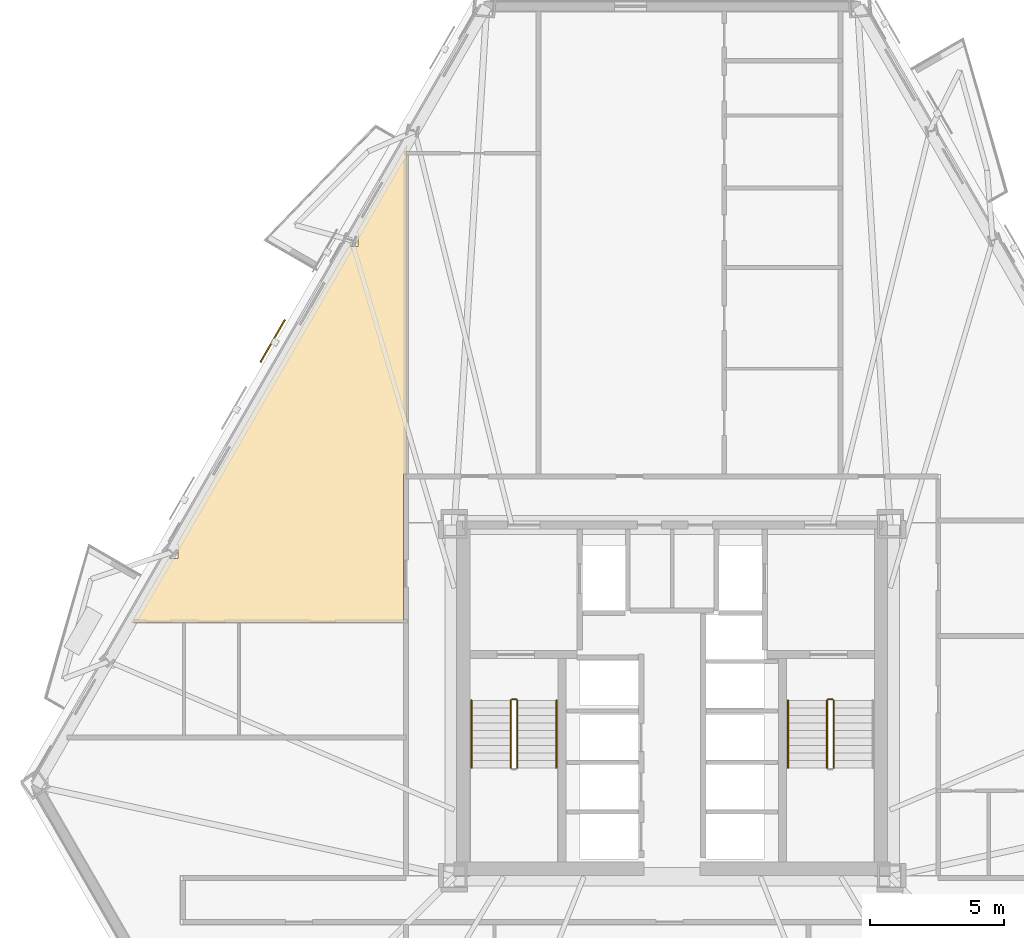
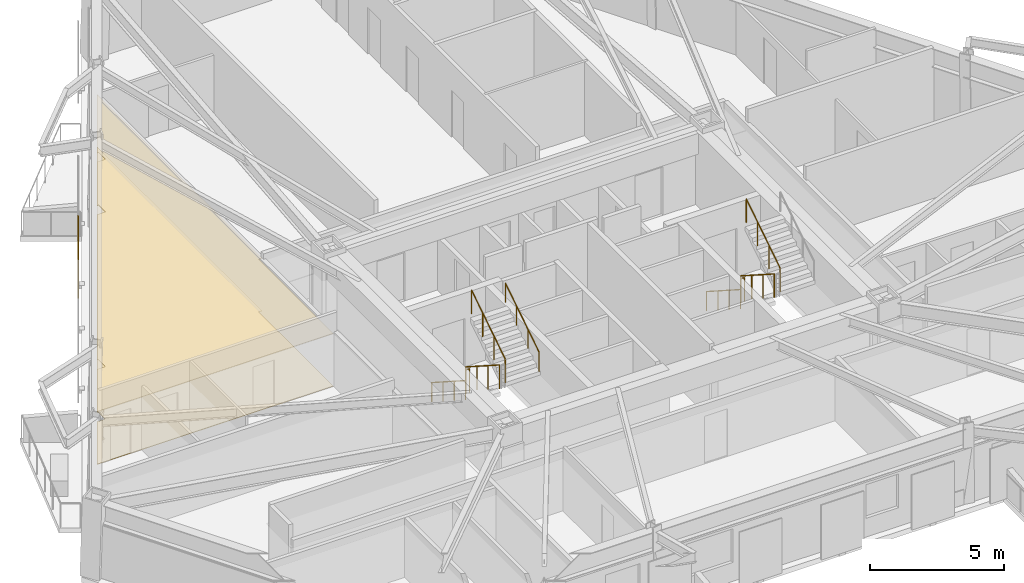
# One storey, part 9 of 10: 9 railings, 2 coverings, 1 shading device.
"""IFC4 building model written with IfcOpenShell, lengths in metres."""

from ifc_helpers import new_model, si_unit, direction, frame, origin, origin_2d, place, context, subcontext, project, spatial, polyline, rectangle, circle, outline, extrude, material, layer, layer_set, type_object, element, save


model = new_model("IFC4")

# Units and contexts
model_context = context("Model", 3, precision=1e-05, world=origin(), true_north=direction((0.0, 1.0)))
body_context = subcontext(model_context, "Body", "Model", "MODEL_VIEW")
ifc_project = project(units=[si_unit("LENGTHUNIT", "METRE"), si_unit("AREAUNIT", "SQUARE_METRE"), si_unit("VOLUMEUNIT", "CUBIC_METRE"), si_unit("PLANEANGLEUNIT", "RADIAN"), si_unit("MASSUNIT", "GRAM", prefix="KILO")], contexts=[model_context])

# Site, building, storey
site_placement = place(None, origin())
site = spatial("IfcSite", under=ifc_project, at=site_placement, CompositionType="ELEMENT")
building_placement = place(site_placement, origin())
building = spatial("IfcBuilding", under=site, at=building_placement, Name="Oramaril Tower", CompositionType="ELEMENT")
storey_placement = place(building_placement, frame((0.0, 0.0, 59.699951171875)))
storey = spatial("IfcBuildingStorey", under=building, at=storey_placement, Name="L15", CompositionType="ELEMENT", Elevation=59.699951171875)

# Coverings
ifc_material_1 = material(Name="Mineral Fibre Acoustic Ceiling")
ifc_layer_1 = layer(ifc_material_1, 0.02001953125)
ifc_layer_set_1 = layer_set([ifc_layer_1], Name="CVT-CEIL")
covering_type_1 = type_object("IfcCoveringType", Name="CVT-CEIL", PredefinedType="CEILING", material=ifc_layer_set_1)
covering_1_placement = place(storey_placement, frame((0.0, 0.0, 2.400146484375)))
element("IfcCovering", 1, at=covering_1_placement, inside=storey, type_object=covering_type_1, Name="L15 Acoustic Suspended Ceiling 13", PredefinedType="CEILING", context=body_context, shape_type="SweptSolid", body=[
    extrude(outline(polyline([(18.654541015625, 22.895263671875), (19.01513671875, 22.895263671875), (19.01513671875, 23.43310546875), (18.965087890625, 23.43310546875), (25.389404296875, 34.560546875), (25.75, 34.560546875), (25.75, 35.067138671875), (25.681884765625, 35.067138671875), (27.592041015625, 38.37548828125), (27.592041015625, 26.070068359375), (27.469970703125, 26.070068359375), (27.468017578125, 26.06982421875), (27.466064453125, 26.069580078125), (27.464111328125, 26.069091796875), (27.46240234375, 26.068603515625), (27.460693359375, 26.067626953125), (27.458984375, 26.066650390625), (27.457275390625, 26.0654296875), (27.455810546875, 26.064208984375), (27.45458984375, 26.062744140625), (27.453369140625, 26.06103515625), (27.452392578125, 26.059326171875), (27.451416015625, 26.0576171875), (27.450927734375, 26.055908203125), (27.450439453125, 26.053955078125), (27.4501953125, 26.052001953125), (27.449951171875, 26.050048828125), (27.449951171875, 24.239990234375), (27.4501953125, 24.238037109375), (27.450439453125, 24.236083984375), (27.450927734375, 24.234130859375), (27.451416015625, 24.232421875), (27.452392578125, 24.230712890625), (27.45263671875, 24.22998046875), (27.452392578125, 24.2294921875), (27.451416015625, 24.227783203125), (27.450927734375, 24.225830078125), (27.450439453125, 24.223876953125), (27.4501953125, 24.221923828125), (27.449951171875, 24.219970703125), (27.449951171875, 20.508056640625), (17.2763671875, 20.508056640625), (18.654541015625, 22.895263671875)])), origin(), (0.0, 0.0, 1.0), 0.02001953125),
])
ifc_material_2 = material(Name="Honed Quartzite Stone Flooring", Category="masonry")
ifc_layer_2 = layer(ifc_material_2, 0.02490234375)
ifc_layer_set_2 = layer_set([ifc_layer_2], Name="CVT-FLR")
covering_type_2 = type_object("IfcCoveringType", Name="CVT-FLR", PredefinedType="FLOORING", material=ifc_layer_set_2)
covering_2_placement = place(storey_placement, origin())
element("IfcCovering", 2, at=covering_2_placement, inside=storey, type_object=covering_type_2, Name="L15 Honed Stone Floor Finish 13", PredefinedType="FLOORING", context=body_context, shape_type="SweptSolid", body=[
    extrude(outline(polyline([(18.654541015625, 22.895263671875), (19.01513671875, 22.895263671875), (19.01513671875, 23.43310546875), (18.965087890625, 23.43310546875), (25.389404296875, 34.560546875), (25.75, 34.560546875), (25.75, 35.067138671875), (25.681884765625, 35.067138671875), (27.592041015625, 38.37548828125), (27.592041015625, 26.070068359375), (27.469970703125, 26.070068359375), (27.468017578125, 26.06982421875), (27.466064453125, 26.069580078125), (27.464111328125, 26.069091796875), (27.46240234375, 26.068603515625), (27.460693359375, 26.067626953125), (27.458984375, 26.066650390625), (27.457275390625, 26.0654296875), (27.455810546875, 26.064208984375), (27.45458984375, 26.062744140625), (27.453369140625, 26.06103515625), (27.452392578125, 26.059326171875), (27.451416015625, 26.0576171875), (27.450927734375, 26.055908203125), (27.450439453125, 26.053955078125), (27.4501953125, 26.052001953125), (27.449951171875, 26.050048828125), (27.449951171875, 24.239990234375), (27.4501953125, 24.238037109375), (27.450439453125, 24.236083984375), (27.450927734375, 24.234130859375), (27.451416015625, 24.232421875), (27.452392578125, 24.230712890625), (27.45263671875, 24.22998046875), (27.452392578125, 24.2294921875), (27.451416015625, 24.227783203125), (27.450927734375, 24.225830078125), (27.450439453125, 24.223876953125), (27.4501953125, 24.221923828125), (27.449951171875, 24.219970703125), (27.449951171875, 20.508056640625), (17.2763671875, 20.508056640625), (18.654541015625, 22.895263671875)])), origin(), (0.0, 0.0, 1.0), 0.025146484375),
])

# Railings
ifc_material_3 = material(Name="Stainless Steel 316L", Category="steel")
railing_type_1 = type_object("IfcRailingType", Name="RLT-GRD", PredefinedType="GUARDRAIL", material=ifc_material_3)
railing_1_placement = place(storey_placement, frame((31.4599609375, 17.590087890625, 0.179931640625)))
element("IfcRailing", 3, at=railing_1_placement, inside=storey, type_object=railing_type_1, Name="L15 ST-1 stair guard 1", PredefinedType="GUARDRAIL", context=body_context, shape_type="SweptSolid", body=[
    extrude(circle(Radius=0.02392578125, at=origin_2d()), frame((0.0, 0.0, 1.076171875), z_axis=(0.0, -0.841162588446, 0.540782303519), x_axis=(1.0, 0.0, 0.0)), (0.0, 0.0, 1.0), 2.995849609375),
    extrude(circle(Radius=0.02099609375, at=origin_2d()), origin(), (0.0, 0.0, 1.0), 1.052001953125),
    extrude(circle(Radius=0.02099609375, at=origin_2d()), frame((0.0, -0.840087890625, 0.5400390625)), (0.0, 0.0, 1.0), 1.052001953125),
    extrude(circle(Radius=0.02099609375, at=origin_2d()), frame((0.0, -1.679931640625, 1.080078125)), (0.0, 0.0, 1.0), 1.052001953125),
    extrude(circle(Radius=0.02099609375, at=origin_2d()), frame((0.0, -2.52001953125, 1.6201171875)), (0.0, 0.0, 1.0), 1.052001953125),
])
railing_2_placement = place(storey_placement, frame((31.7099609375, 15.070068359375, 1.97998046875)))
element("IfcRailing", 4, at=railing_2_placement, inside=storey, type_object=railing_type_1, Name="L15 ST-1 stair guard 3", PredefinedType="GUARDRAIL", context=body_context, shape_type="SweptSolid", body=[
    extrude(circle(Radius=0.02392578125, at=origin_2d()), frame((0.0, 0.0, 1.076171875), z_axis=(0.0, 0.841162588446, 0.540782303519), x_axis=(-1.0, 0.0, 0.0)), (0.0, 0.0, 1.0), 2.995849609375),
    extrude(circle(Radius=0.02099609375, at=origin_2d()), origin(), (0.0, 0.0, 1.0), 1.052001953125),
    extrude(circle(Radius=0.02099609375, at=origin_2d()), frame((0.0, 0.840087890625, 0.5400390625)), (0.0, 0.0, 1.0), 1.052001953125),
    extrude(circle(Radius=0.02099609375, at=origin_2d()), frame((0.0, 1.679931640625, 1.080078125)), (0.0, 0.0, 1.0), 1.052001953125),
    extrude(circle(Radius=0.02099609375, at=origin_2d()), frame((0.0, 2.52001953125, 1.6201171875)), (0.0, 0.0, 1.0), 1.052001953125),
])
railing_3_placement = place(storey_placement, frame((31.510009765625, 17.639892578125, 0.0)))
element("IfcRailing", 5, at=railing_3_placement, inside=storey, type_object=railing_type_1, Name="L15 ST-1 stair guard 4", PredefinedType="GUARDRAIL", context=body_context, shape_type="SweptSolid", body=[
    extrude(circle(Radius=0.02392578125, at=origin_2d()), frame((0.0, 0.0, 1.076171875), z_axis=(1.0, 0.0, 0.0), x_axis=(0.0, 1.0, 0.0)), (0.0, 0.0, 1.0), 0.14990234375),
    extrude(circle(Radius=0.02099609375, at=origin_2d()), origin(), (0.0, 0.0, 1.0), 1.052001953125),
    extrude(circle(Radius=0.02099609375, at=origin_2d()), frame((0.14990234375, 0.0, 0.0)), (0.0, 0.0, 1.0), 1.052001953125),
])
railing_4_placement = place(storey_placement, frame((43.2900390625, 17.590087890625, 0.179931640625)))
element("IfcRailing", 6, at=railing_4_placement, inside=storey, type_object=railing_type_1, Name="L15 ST-2 stair guard 1", PredefinedType="GUARDRAIL", context=body_context, shape_type="SweptSolid", body=[
    extrude(circle(Radius=0.02392578125, at=origin_2d()), frame((0.0, 0.0, 1.076171875), z_axis=(0.0, -0.841162588446, 0.540782303519), x_axis=(1.0, 0.0, 0.0)), (0.0, 0.0, 1.0), 2.995849609375),
    extrude(circle(Radius=0.02099609375, at=origin_2d()), origin(), (0.0, 0.0, 1.0), 1.052001953125),
    extrude(circle(Radius=0.02099609375, at=origin_2d()), frame((0.0, -0.840087890625, 0.5400390625)), (0.0, 0.0, 1.0), 1.052001953125),
    extrude(circle(Radius=0.02099609375, at=origin_2d()), frame((0.0, -1.679931640625, 1.080078125)), (0.0, 0.0, 1.0), 1.052001953125),
    extrude(circle(Radius=0.02099609375, at=origin_2d()), frame((0.0, -2.52001953125, 1.6201171875)), (0.0, 0.0, 1.0), 1.052001953125),
])
railing_5_placement = place(storey_placement, frame((43.5400390625, 15.070068359375, 1.97998046875)))
element("IfcRailing", 7, at=railing_5_placement, inside=storey, type_object=railing_type_1, Name="L15 ST-2 stair guard 3", PredefinedType="GUARDRAIL", context=body_context, shape_type="SweptSolid", body=[
    extrude(circle(Radius=0.02392578125, at=origin_2d()), frame((0.0, 0.0, 1.076171875), z_axis=(0.0, 0.841162588446, 0.540782303519), x_axis=(-1.0, 0.0, 0.0)), (0.0, 0.0, 1.0), 2.995849609375),
    extrude(circle(Radius=0.02099609375, at=origin_2d()), origin(), (0.0, 0.0, 1.0), 1.052001953125),
    extrude(circle(Radius=0.02099609375, at=origin_2d()), frame((0.0, 0.840087890625, 0.5400390625)), (0.0, 0.0, 1.0), 1.052001953125),
    extrude(circle(Radius=0.02099609375, at=origin_2d()), frame((0.0, 1.679931640625, 1.080078125)), (0.0, 0.0, 1.0), 1.052001953125),
    extrude(circle(Radius=0.02099609375, at=origin_2d()), frame((0.0, 2.52001953125, 1.6201171875)), (0.0, 0.0, 1.0), 1.052001953125),
])
railing_6_placement = place(storey_placement, frame((43.340087890625, 17.639892578125, 0.0)))
element("IfcRailing", 8, at=railing_6_placement, inside=storey, type_object=railing_type_1, Name="L15 ST-2 stair guard 4", PredefinedType="GUARDRAIL", context=body_context, shape_type="SweptSolid", body=[
    extrude(circle(Radius=0.02392578125, at=origin_2d()), frame((0.0, 0.0, 1.076171875), z_axis=(1.0, 0.0, 0.0), x_axis=(0.0, 1.0, 0.0)), (0.0, 0.0, 1.0), 0.14990234375),
    extrude(circle(Radius=0.02099609375, at=origin_2d()), origin(), (0.0, 0.0, 1.0), 1.052001953125),
    extrude(circle(Radius=0.02099609375, at=origin_2d()), frame((0.14990234375, 0.0, 0.0)), (0.0, 0.0, 1.0), 1.052001953125),
])
ifc_material_4 = material(Name="Stainless Steel 316L", Category="steel")
railing_type_2 = type_object("IfcRailingType", Name="RLT-HND", PredefinedType="HANDRAIL", material=ifc_material_4)
railing_7_placement = place(storey_placement, frame((30.0, 17.590087890625, 0.179931640625)))
element("IfcRailing", 9, at=railing_7_placement, inside=storey, type_object=railing_type_2, Name="L15 ST-1 stair handrail 1", PredefinedType="HANDRAIL", context=body_context, shape_type="SweptSolid", body=[
    extrude(circle(Radius=0.02392578125, at=origin_2d()), frame((0.0, 0.0, 0.8759765625), z_axis=(0.0, -0.841162588446, 0.540782303519), x_axis=(1.0, 0.0, 0.0)), (0.0, 0.0, 1.0), 2.995849609375),
    extrude(circle(Radius=0.02099609375, at=origin_2d()), origin(), (0.0, 0.0, 1.0), 0.851806640625),
    extrude(circle(Radius=0.02099609375, at=origin_2d()), frame((0.0, -0.840087890625, 0.5400390625)), (0.0, 0.0, 1.0), 0.851806640625),
    extrude(circle(Radius=0.02099609375, at=origin_2d()), frame((0.0, -1.679931640625, 1.080078125)), (0.0, 0.0, 1.0), 0.851806640625),
    extrude(circle(Radius=0.02099609375, at=origin_2d()), frame((0.0, -2.52001953125, 1.6201171875)), (0.0, 0.0, 1.0), 0.851806640625),
])
railing_8_placement = place(storey_placement, frame((33.169921875, 15.070068359375, 1.97998046875)))
element("IfcRailing", 10, at=railing_8_placement, inside=storey, type_object=railing_type_2, Name="L15 ST-1 stair handrail 2", PredefinedType="HANDRAIL", context=body_context, shape_type="SweptSolid", body=[
    extrude(circle(Radius=0.02392578125, at=origin_2d()), frame((0.0, 0.0, 0.8759765625), z_axis=(0.0, 0.841162588446, 0.540782303519), x_axis=(-1.0, 0.0, 0.0)), (0.0, 0.0, 1.0), 2.995849609375),
    extrude(circle(Radius=0.02099609375, at=origin_2d()), origin(), (0.0, 0.0, 1.0), 0.851806640625),
    extrude(circle(Radius=0.02099609375, at=origin_2d()), frame((0.0, 0.840087890625, 0.5400390625)), (0.0, 0.0, 1.0), 0.851806640625),
    extrude(circle(Radius=0.02099609375, at=origin_2d()), frame((0.0, 1.679931640625, 1.080078125)), (0.0, 0.0, 1.0), 0.851806640625),
    extrude(circle(Radius=0.02099609375, at=origin_2d()), frame((0.0, 2.52001953125, 1.6201171875)), (0.0, 0.0, 1.0), 0.851806640625),
])
railing_9_placement = place(storey_placement, frame((41.830078125, 17.590087890625, 0.179931640625)))
element("IfcRailing", 11, at=railing_9_placement, inside=storey, type_object=railing_type_2, Name="L15 ST-2 stair handrail 1", PredefinedType="HANDRAIL", context=body_context, shape_type="SweptSolid", body=[
    extrude(circle(Radius=0.02392578125, at=origin_2d()), frame((0.0, 0.0, 0.8759765625), z_axis=(0.0, -0.841162588446, 0.540782303519), x_axis=(1.0, 0.0, 0.0)), (0.0, 0.0, 1.0), 2.995849609375),
    extrude(circle(Radius=0.02099609375, at=origin_2d()), origin(), (0.0, 0.0, 1.0), 0.851806640625),
    extrude(circle(Radius=0.02099609375, at=origin_2d()), frame((0.0, -0.840087890625, 0.5400390625)), (0.0, 0.0, 1.0), 0.851806640625),
    extrude(circle(Radius=0.02099609375, at=origin_2d()), frame((0.0, -1.679931640625, 1.080078125)), (0.0, 0.0, 1.0), 0.851806640625),
    extrude(circle(Radius=0.02099609375, at=origin_2d()), frame((0.0, -2.52001953125, 1.6201171875)), (0.0, 0.0, 1.0), 0.851806640625),
])

# Shading device
shading_device_placement = place(storey_placement, frame((22.559326171875, 31.034423828125, -0.02001953125), z_axis=(0.0, 0.0, 1.0), x_axis=(-0.4999984885, -0.866026276448, 0.0)))
element("IfcShadingDevice", 12, at=shading_device_placement, inside=storey, Name="L15 Perforated Ceramic Solar Screen", ObjectType="SCREEN", PredefinedType="USERDEFINED", context=body_context, shape_type="SweptSolid", body=[
    extrude(rectangle(XDim=1.8330078125, YDim=0.050048828125, at=origin_2d()), origin(), (0.0, 0.0, 1.0), 2.493896484375),
])

save(model, "model.ifc")
